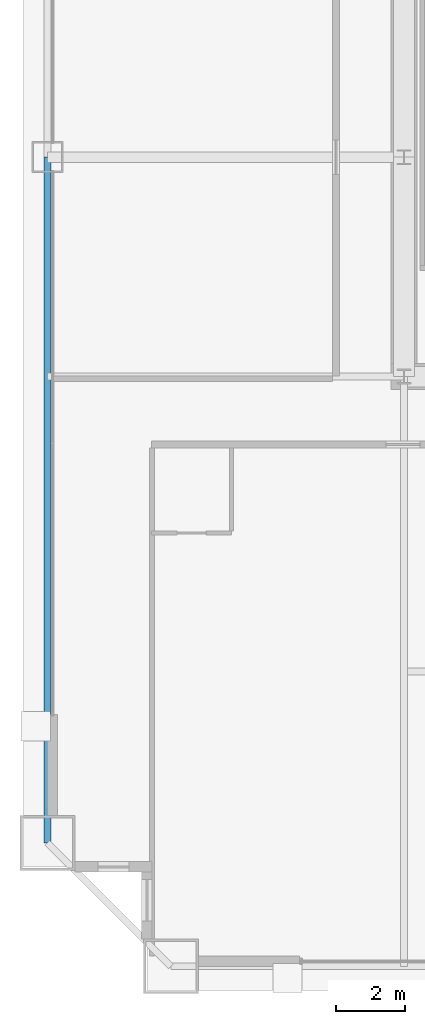
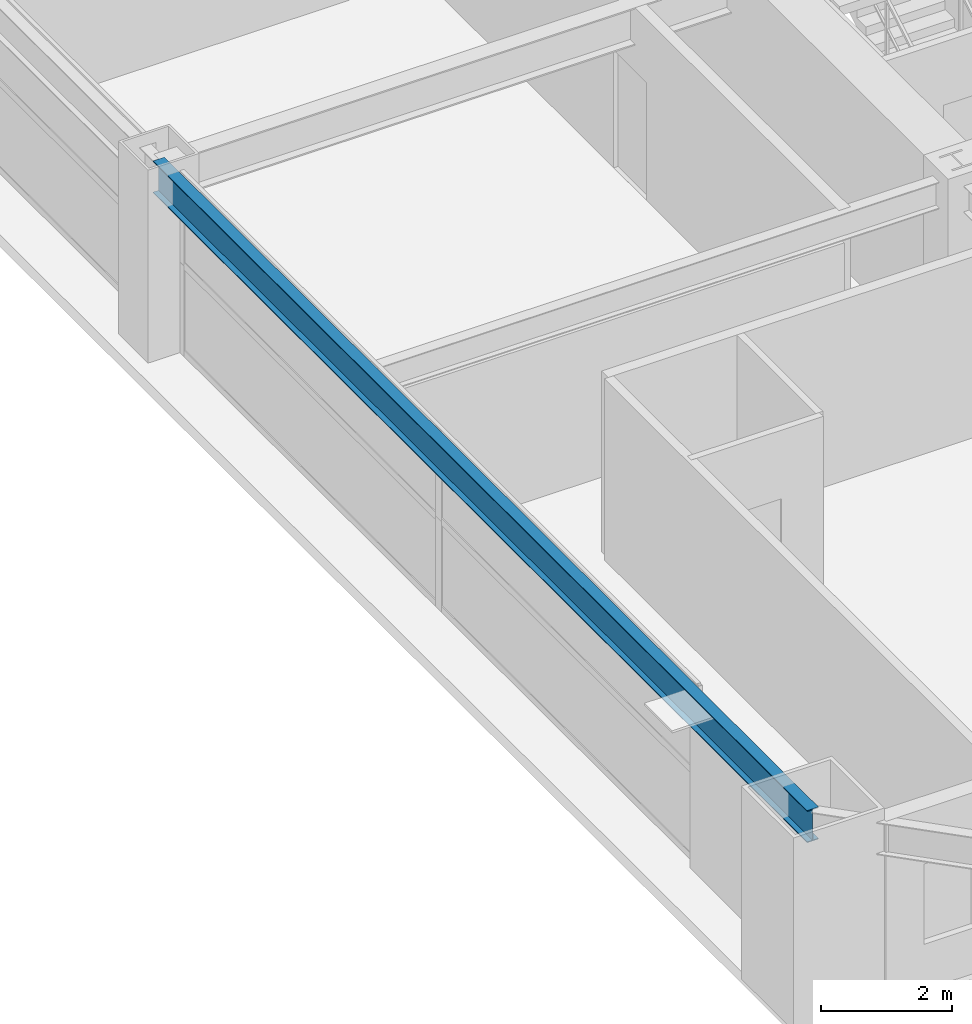
# One storey, part 6 of 38: 1 beam.
"""IFC4 building model written with IfcOpenShell, lengths in metres."""

from ifc_helpers import new_model, si_unit, direction, frame, origin, origin_2d, place, context, subcontext, project, spatial, i_section, extrude, source, transform, mapped, material, material_profile, profile_set, type_object, element, save


model = new_model("IFC4")

# Units and contexts
model_context = context("Model", 3, precision=1e-05, world=origin(), true_north=direction((0.0, 1.0)))
body_context = subcontext(model_context, "Body", "Model", "MODEL_VIEW")
ifc_project = project(units=[si_unit("LENGTHUNIT", "METRE"), si_unit("AREAUNIT", "SQUARE_METRE"), si_unit("VOLUMEUNIT", "CUBIC_METRE"), si_unit("PLANEANGLEUNIT", "RADIAN"), si_unit("MASSUNIT", "GRAM", prefix="KILO"), si_unit("THERMODYNAMICTEMPERATUREUNIT", "KELVIN"), si_unit("POWERUNIT", "WATT")], contexts=[model_context])

# Site, building, storey
site_placement = place(None, origin())
site = spatial("IfcSite", under=ifc_project, at=site_placement, CompositionType="ELEMENT")
building_placement = place(site_placement, origin())
building = spatial("IfcBuilding", under=site, at=building_placement, Name="Yuzanri Waterfront Tower", CompositionType="ELEMENT")
storey_placement = place(building_placement, frame((0.0, 0.0, 111.800048828125)))
storey = spatial("IfcBuildingStorey", under=building, at=storey_placement, Name="L29", CompositionType="ELEMENT", Elevation=111.800048828125)

# Beam
ifc_material = material(Name="Steel Q355B", Category="steel")
ifc_material_profile = material_profile(ifc_material, i_section(OverallWidth=0.199951171875, OverallDepth=0.60009765625, WebThickness=0.010986328125, FlangeThickness=0.01708984375, at=origin_2d()), Name="HN 600x200x11x17")
ifc_profile_set = profile_set([ifc_material_profile], Name="Steel Q355B")
beam_type = type_object("IfcBeamType", Name="Perimeter Spandrel Q355B HN 600x200", PredefinedType="SPANDREL", material=ifc_profile_set)
shared_shape = source(origin(), body_context, "Body", "SweptSolid", [
    extrude(i_section(OverallWidth=0.199951171875, OverallDepth=0.60009765625, WebThickness=0.010986328125, FlangeThickness=0.01708984375, at=origin_2d()), origin(), (0.0, 0.0, 1.0), 20.0),
])
beam_placement = place(storey_placement, frame((13.39990234375, 25.800048828125, 3.079833984375), z_axis=(0.0, -1.0, 0.0), x_axis=(1.0, 0.0, 0.0)))
element("IfcBeam", 1, at=beam_placement, inside=storey, type_object=beam_type, Name="L29 Perimeter Spandrel W2-W1", PredefinedType="SPANDREL", context=body_context, shape_type="MappedRepresentation", body=[
    mapped(shared_shape, transform((0.0, 0.0, 0.0), scale=1.0)),
])

save(model, "model.ifc")
